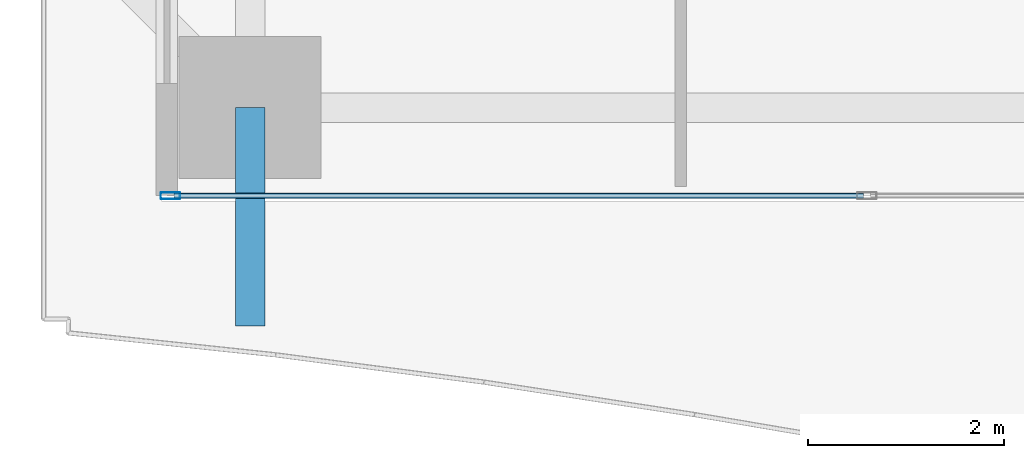
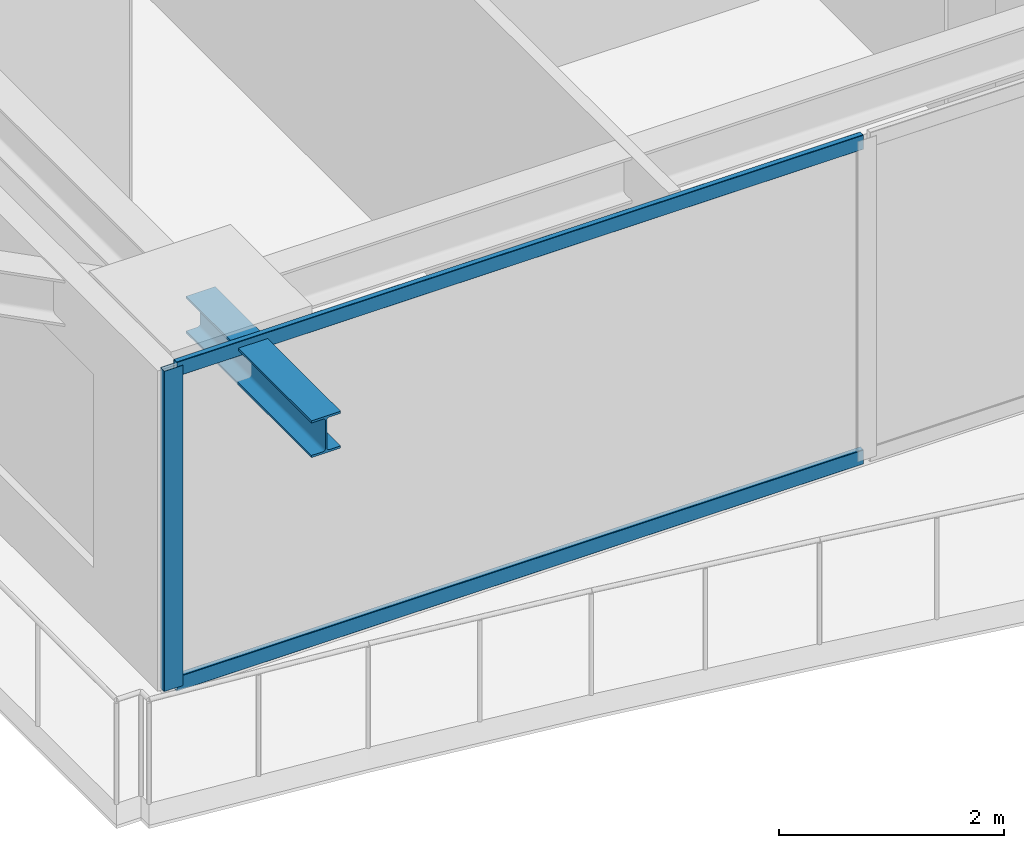
# One storey, part 2 of 41: 3 members, 1 beam, 1 element without a shape of its own.
"""IFC4 building model written with IfcOpenShell, lengths in metres."""

from ifc_helpers import new_model, si_unit, direction, frame, origin, origin_2d, place, context, subcontext, project, spatial, hollow_rectangle, i_section, extrude, source, transform, mapped, material, layer, layer_set, material_profile, profile_set, type_object, element, aggregate, save


model = new_model("IFC4")

# Units and contexts
model_context = context("Model", 3, precision=1e-05, world=origin(), true_north=direction((0.0, 1.0)))
body_context = subcontext(model_context, "Body", "Model", "MODEL_VIEW")
ifc_project = project(units=[si_unit("LENGTHUNIT", "METRE"), si_unit("AREAUNIT", "SQUARE_METRE"), si_unit("VOLUMEUNIT", "CUBIC_METRE"), si_unit("PLANEANGLEUNIT", "RADIAN"), si_unit("MASSUNIT", "GRAM", prefix="KILO")], contexts=[model_context])

# Site, building, storey
site_placement = place(None, origin())
site = spatial("IfcSite", under=ifc_project, at=site_placement, CompositionType="ELEMENT")
building_placement = place(site_placement, origin())
building = spatial("IfcBuilding", under=site, at=building_placement, Name="Serunith Strait Residences", CompositionType="ELEMENT")
storey_placement = place(building_placement, frame((0.0, 0.0, 75.449951171875)))
storey = spatial("IfcBuildingStorey", under=building, at=storey_placement, Name="L18", CompositionType="ELEMENT", Elevation=75.449951171875)

# Beam
ifc_material_1 = material(Name="Steel S355J2", Category="steel")
ifc_material_profile_1 = material_profile(ifc_material_1, i_section(OverallWidth=0.300048828125, OverallDepth=0.39990234375, WebThickness=0.013427734375, FlangeThickness=0.02392578125, FilletRadius=0.027099609375, at=origin_2d()), Name="HEB 400")
ifc_profile_set_1 = profile_set([ifc_material_profile_1], Name="Steel S355J2")
beam_type = type_object("IfcBeamType", Name="BM-HEB400", PredefinedType="BEAM", material=ifc_profile_set_1)
shared_shape_1 = source(origin(), body_context, "Body", "SweptSolid", [
    extrude(i_section(OverallWidth=0.300048828125, OverallDepth=0.39990234375, WebThickness=0.013427734375, FlangeThickness=0.02392578125, FilletRadius=0.027099609375, at=origin_2d()), origin(), (0.0, 0.0, 1.0), 2.230224609375),
])
beam_placement = place(storey_placement, frame((15.25, 1.10009765625, 3.257080078125), z_axis=(0.0, -1.0, 0.0), x_axis=(1.0, 0.0, 0.0)))
element("IfcBeam", 1, at=beam_placement, inside=storey, type_object=beam_type, Name="L19 Cantilevered Balcony Rib TC-S1", PredefinedType="BEAM", context=body_context, shape_type="MappedRepresentation", body=[
    mapped(shared_shape_1, transform((0.0, 0.0, 0.0), scale=1.0)),
])

# Curtain wall, members
ifc_material_2 = material(Name="Pale-Champagne Anodised Aluminium", Category="aluminium")
ifc_layer = layer(ifc_material_2, 0.199951171875, Name="Pale-Champagne Anodised Aluminium")
ifc_layer_set = layer_set([ifc_layer], Name="Pale-Champagne Anodised Aluminium")
curtain_wall_type = type_object("IfcCurtainWallType", Name="CW-SYS1", PredefinedType="NOTDEFINED", material=ifc_layer_set)
curtain_wall_placement = place(storey_placement, origin())
curtain_wall = element("IfcCurtainWall", 2, at=curtain_wall_placement, inside=storey, type_object=curtain_wall_type, Name="L18 S Unitised Fritted Curtain Wall", PredefinedType="NOTDEFINED")
ifc_material_profile_2 = material_profile(ifc_material_2, hollow_rectangle(XDim=0.070068359375, YDim=0.199951171875, WallThickness=0.00390625, InnerFilletRadius=0.006103515625, OuterFilletRadius=0.010009765625, at=origin_2d()), Name="ALU 200x70x4")
ifc_profile_set_2 = profile_set([ifc_material_profile_2], Name="Pale-Champagne Anodised Aluminium")
member_type_1 = type_object("IfcMemberType", Name="CW-SYS1-MULL", PredefinedType="MULLION", material=ifc_profile_set_2)
shared_shape_2 = source(origin(), body_context, "Body", "SweptSolid", [
    extrude(hollow_rectangle(XDim=0.070068359375, YDim=0.199951171875, WallThickness=0.00390625, InnerFilletRadius=0.006103515625, OuterFilletRadius=0.010009765625, at=origin_2d()), origin(), (0.0, 0.0, 1.0), 3.47509765625),
])
member_1_placement = place(storey_placement, frame((14.43505859375, 0.199951171875, 0.0), z_axis=(0.0, 0.0, 1.0), x_axis=(0.0, 1.0, 0.0)))
member_1 = element("IfcMember", 3, at=member_1_placement, type_object=member_type_1, Name="CW-1 mullion 1", PredefinedType="MULLION", context=body_context, shape_type="MappedRepresentation", body=[
    mapped(shared_shape_2, transform((0.0, 0.0, 0.0), scale=1.0)),
])
ifc_material_profile_3 = material_profile(ifc_material_2, hollow_rectangle(XDim=0.06005859375, YDim=0.159912109375, WallThickness=0.00341796875, InnerFilletRadius=0.00537109375, OuterFilletRadius=0.0087890625, at=origin_2d()), Name="ALU 160x60x3.5")
ifc_profile_set_3 = profile_set([ifc_material_profile_3], Name="Pale-Champagne Anodised Aluminium")
member_type_2 = type_object("IfcMemberType", Name="CW-SYS1-TRAN", PredefinedType="USERDEFINED", material=ifc_profile_set_3)
shared_shape_3 = source(origin(), body_context, "Body", "SweptSolid", [
    extrude(hollow_rectangle(XDim=0.06005859375, YDim=0.159912109375, WallThickness=0.00341796875, InnerFilletRadius=0.00537109375, OuterFilletRadius=0.0087890625, at=origin_2d()), origin(), (0.0, 0.0, 1.0), 7.044921875),
])
member_2_placement = place(storey_placement, frame((14.469970703125, 0.199951171875, 0.030029296875), z_axis=(1.0, 0.0, 0.0), x_axis=(0.0, 1.0, 0.0)))
member_2 = element("IfcMember", 4, at=member_2_placement, type_object=member_type_2, Name="CW-1 transom 1.1", ObjectType="TRANSOM", PredefinedType="USERDEFINED", context=body_context, shape_type="MappedRepresentation", body=[
    mapped(shared_shape_3, transform((0.0, 0.0, 0.0), scale=1.0)),
])
member_3_placement = place(storey_placement, frame((14.469970703125, 0.199951171875, 3.445068359375), z_axis=(1.0, 0.0, 0.0), x_axis=(0.0, 1.0, 0.0)))
member_3 = element("IfcMember", 5, at=member_3_placement, type_object=member_type_2, Name="CW-1 transom 1.2", ObjectType="TRANSOM", PredefinedType="USERDEFINED", context=body_context, shape_type="MappedRepresentation", body=[
    mapped(shared_shape_3, transform((0.0, 0.0, 0.0), scale=1.0)),
])
aggregate(curtain_wall, [member_1, member_2, member_3])

save(model, "model.ifc")
